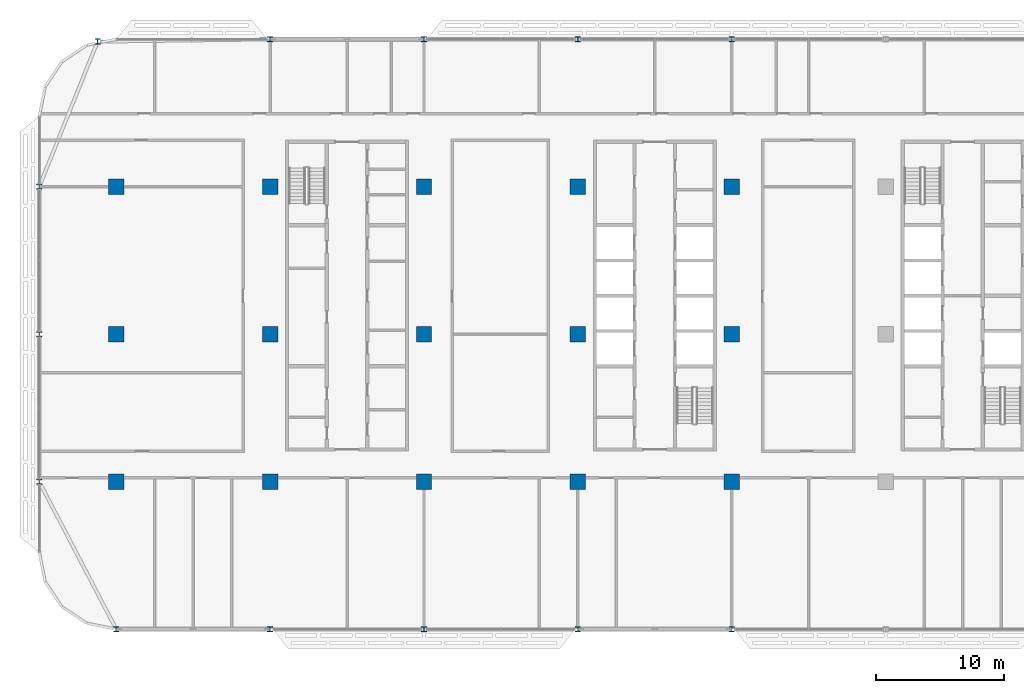
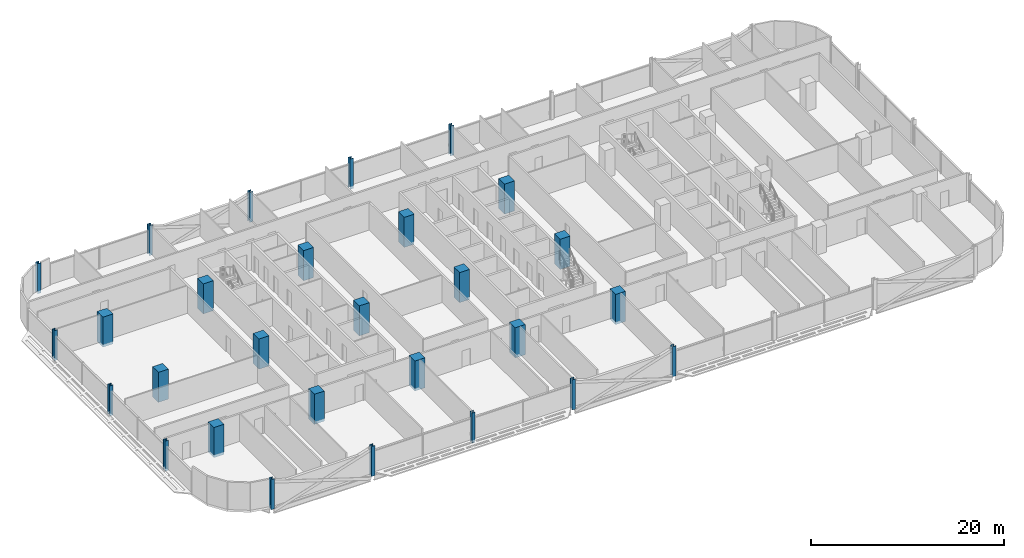
# One storey, part 1 of 27: 28 columns.
"""IFC4 building model written with IfcOpenShell, lengths in metres."""

from ifc_helpers import new_model, si_unit, direction, frame, origin, origin_2d, place, context, subcontext, project, spatial, rectangle, i_section, extrude, material, material_profile, profile_set, type_object, element, save


model = new_model("IFC4")

# Units and contexts
model_context = context("Model", 3, precision=1e-05, world=origin(), true_north=direction((0.0, 1.0)))
body_context = subcontext(model_context, "Body", "Model", "MODEL_VIEW")
ifc_project = project(units=[si_unit("LENGTHUNIT", "METRE"), si_unit("AREAUNIT", "SQUARE_METRE"), si_unit("VOLUMEUNIT", "CUBIC_METRE"), si_unit("PLANEANGLEUNIT", "RADIAN"), si_unit("MASSUNIT", "GRAM", prefix="KILO")], contexts=[model_context])

# Site, building, storey
site_placement = place(None, origin())
site = spatial("IfcSite", under=ifc_project, at=site_placement, CompositionType="ELEMENT")
building_placement = place(site_placement, origin())
building = spatial("IfcBuilding", under=site, at=building_placement, Name="Mahtab Terrace Research Tower", CompositionType="ELEMENT")
storey_placement = place(building_placement, frame((0.0, 0.0, 182.0)))
storey = spatial("IfcBuildingStorey", under=building, at=storey_placement, Name="L43", CompositionType="ELEMENT", Elevation=182.0)

# Columns
ifc_material_1 = material(Name="Concrete C70/85", Category="concrete")
ifc_material_profile_1 = material_profile(ifc_material_1, rectangle(XDim=1.199951171875, YDim=1.199951171875, at=origin_2d()), Name="RC column 1200x1200")
ifc_profile_set_1 = profile_set([ifc_material_profile_1], Name="Concrete C70/85")
column_type_1 = type_object("IfcColumnType", Name="RC column 1200x1200", PredefinedType="COLUMN", material=ifc_profile_set_1)
for number, where, z_axis, x_axis, name in (
    (1, (-42.0, -11.5, -0.340087890625), (0.0, 0.0, 1.0), (1.0, 0.0, 0.0), "Column RC-1A L43"),
    (2, (-42.0, 0.0, -0.340087890625), (0.0, 0.0, 1.0), (1.0, 0.0, 0.0), "Column RC-1B L43"),
    (3, (-42.0, 11.5, -0.340087890625), (0.0, 0.0, 1.0), (1.0, 0.0, 0.0), "Column RC-1C L43"),
    (4, (-30.0, -11.5, -0.340087890625), (0.0, 0.0, 1.0), (1.0, 0.0, 0.0), "Column RC-2A L43"),
    (5, (-30.0, 0.0, -0.340087890625), (0.0, 0.0, 1.0), (1.0, 0.0, 0.0), "Column RC-2B L43"),
    (6, (-30.0, 11.5, -0.340087890625), (0.0, 0.0, 1.0), (1.0, 0.0, 0.0), "Column RC-2C L43"),
    (7, (-18.0, -11.5, -0.340087890625), (0.0, 0.0, 1.0), (1.0, 0.0, 0.0), "Column RC-3A L43"),
    (8, (-18.0, 0.0, -0.340087890625), (0.0, 0.0, 1.0), (1.0, 0.0, 0.0), "Column RC-3B L43"),
    (9, (-18.0, 11.5, -0.340087890625), (0.0, 0.0, 1.0), (1.0, 0.0, 0.0), "Column RC-3C L43"),
    (10, (-6.0, -11.5, -0.340087890625), (0.0, 0.0, 1.0), (1.0, 0.0, 0.0), "Column RC-4A L43"),
    (11, (-6.0, 0.0, -0.340087890625), (0.0, 0.0, 1.0), (1.0, 0.0, 0.0), "Column RC-4B L43"),
    (12, (-6.0, 11.5, -0.340087890625), (0.0, 0.0, 1.0), (1.0, 0.0, 0.0), "Column RC-4C L43"),
    (13, (6.0, -11.5, -0.340087890625), (0.0, 0.0, 1.0), (1.0, 0.0, 0.0), "Column RC-5A L43"),
    (14, (6.0, 0.0, -0.340087890625), (0.0, 0.0, 1.0), (1.0, 0.0, 0.0), "Column RC-5B L43"),
    (15, (6.0, 11.5, -0.340087890625), (0.0, 0.0, 1.0), (1.0, 0.0, 0.0), "Column RC-5C L43"),
):
    element("IfcColumn", number, at=place(storey_placement, frame(where, z_axis=z_axis, x_axis=x_axis)), inside=storey, type_object=column_type_1, Name=name, PredefinedType="COLUMN", context=body_context, shape_type="SweptSolid", body=[
        extrude(rectangle(XDim=1.199951171875, YDim=1.199951171875, at=origin_2d()), origin(), (0.0, 0.0, 1.0), 3.800048828125),
    ])
ifc_material_2 = material(Name="Steel ASTM A992 Gr 50", Category="steel")
ifc_material_profile_2 = material_profile(ifc_material_2, i_section(OverallWidth=0.406494140625, OverallDepth=0.41650390625, WebThickness=0.030029296875, FlangeThickness=0.048095703125, at=origin_2d()), Name="W14X257")
ifc_profile_set_2 = profile_set([ifc_material_profile_2], Name="Steel ASTM A992 Gr 50")
column_type_2 = type_object("IfcColumnType", Name="W14x257 column CS14257", PredefinedType="COLUMN", material=ifc_profile_set_2)
for number, where, z_axis, x_axis, name in (
    (16, (6.0, 23.0, -0.340087890625), (0.0, 0.0, 1.0), (1.0, 0.0, 0.0), "Column SC-004 L43"),
    (17, (-6.0, 23.0, -0.340087890625), (0.0, 0.0, 1.0), (1.0, 0.0, 0.0), "Column SC-005 L43"),
    (18, (-18.0, 23.0, -0.340087890625), (0.0, 0.0, 1.0), (1.0, 0.0, 0.0), "Column SC-006 L43"),
    (19, (-30.0, 23.0, -0.340087890625), (0.0, 0.0, 1.0), (1.0, 0.0, 0.0), "Column SC-007 L43"),
    (20, (-43.447998046875, 22.822021484375, -0.340087890625), (0.0, 0.0, 1.0), (1.0, 0.0, 0.0), "Column SC-051 L43"),
    (21, (-48.0, 11.5, -0.340087890625), (0.0, 0.0, 1.0), (1.0, 0.0, 0.0), "Column SC-009 L43"),
    (22, (-48.0, 0.0, -0.340087890625), (0.0, 0.0, 1.0), (1.0, 0.0, 0.0), "Column SC-010 L43"),
    (23, (-48.0, -11.5, -0.340087890625), (0.0, 0.0, 1.0), (1.0, 0.0, 0.0), "Column SC-011 L43"),
    (24, (-42.0, -23.0, -0.340087890625), (0.0, 0.0, 1.0), (1.0, 0.0, 0.0), "Column SC-012 L43"),
    (25, (-30.0, -23.0, -0.340087890625), (0.0, 0.0, 1.0), (1.0, 0.0, 0.0), "Column SC-013 L43"),
    (26, (-18.0, -23.0, -0.340087890625), (0.0, 0.0, 1.0), (1.0, 0.0, 0.0), "Column SC-014 L43"),
    (27, (-6.0, -23.0, -0.340087890625), (0.0, 0.0, 1.0), (1.0, 0.0, 0.0), "Column SC-015 L43"),
    (28, (6.0, -23.0, -0.340087890625), (0.0, 0.0, 1.0), (1.0, 0.0, 0.0), "Column SC-016 L43"),
):
    element("IfcColumn", number, at=place(storey_placement, frame(where, z_axis=z_axis, x_axis=x_axis)), inside=storey, type_object=column_type_2, Name=name, PredefinedType="COLUMN", context=body_context, shape_type="SweptSolid", body=[
        extrude(i_section(OverallWidth=0.406494140625, OverallDepth=0.41650390625, WebThickness=0.030029296875, FlangeThickness=0.048095703125, at=origin_2d()), origin(), (0.0, 0.0, 1.0), 3.800048828125),
    ])

save(model, "model.ifc")
